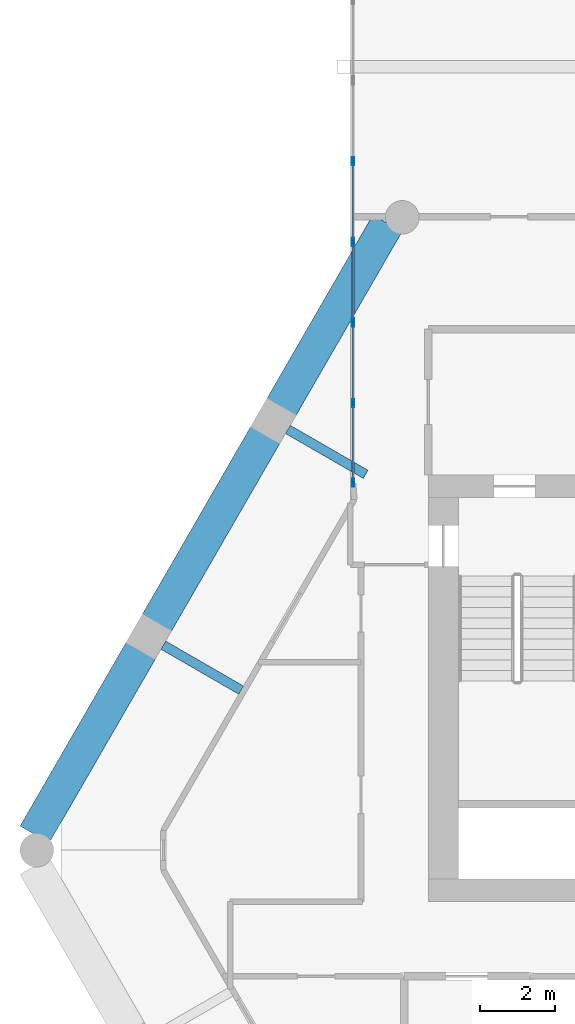
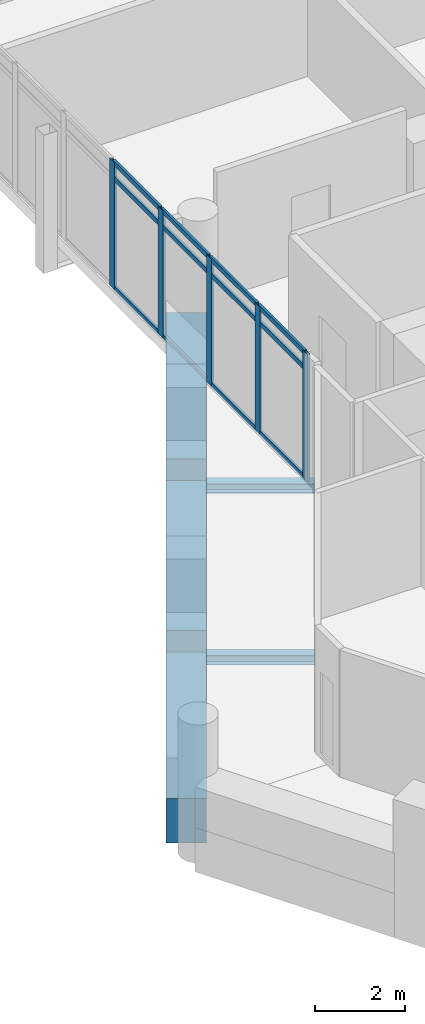
# One storey, part 11 of 25: 17 members, 5 beams, 1 element without a shape of its own.
"""IFC4 building model written with IfcOpenShell, lengths in metres."""

from ifc_helpers import new_model, si_unit, direction, frame, origin, origin_2d, place, context, subcontext, project, spatial, rectangle, hollow_rectangle, i_section, extrude, material, material_profile, profile_set, type_object, element, aggregate, save


model = new_model("IFC4")

# Units and contexts
model_context = context("Model", 3, precision=1e-05, world=origin(), true_north=direction((0.0, 1.0)))
body_context = subcontext(model_context, "Body", "Model", "MODEL_VIEW")
ifc_project = project(units=[si_unit("LENGTHUNIT", "METRE"), si_unit("AREAUNIT", "SQUARE_METRE"), si_unit("VOLUMEUNIT", "CUBIC_METRE"), si_unit("PLANEANGLEUNIT", "RADIAN"), si_unit("MASSUNIT", "GRAM", prefix="KILO")], contexts=[model_context])

# Site, building, storey
site_placement = place(None, origin())
site = spatial("IfcSite", under=ifc_project, at=site_placement, CompositionType="ELEMENT")
building_placement = place(site_placement, origin())
building = spatial("IfcBuilding", under=site, at=building_placement, Name="Ostrander Bayou Hotel Tower", CompositionType="ELEMENT")
storey_placement = place(building_placement, frame((0.0, 0.0, 229.5)))
storey = spatial("IfcBuildingStorey", under=building, at=storey_placement, Name="L57", CompositionType="ELEMENT", Elevation=229.5)

# Curtain wall, members
ifc_material_1 = material(Name="Aluminium and clear glass", Category="aluminium")
curtain_wall_type = type_object("IfcCurtainWallType", Name="CW-BAR glazed wall", PredefinedType="NOTDEFINED", material=ifc_material_1)
curtain_wall_placement = place(storey_placement, origin())
curtain_wall = element("IfcCurtainWall", 1, at=curtain_wall_placement, inside=storey, type_object=curtain_wall_type, Name="CW-BAR L57:SB5N:E", PredefinedType="NOTDEFINED")
ifc_material_2 = material(Name="Aluminium", Category="aluminium")
ifc_material_profile_1 = material_profile(ifc_material_2, hollow_rectangle(XDim=0.06005859375, YDim=0.219970703125, WallThickness=0.00390625, at=origin_2d()))
ifc_profile_set_1 = profile_set([ifc_material_profile_1], Name="Aluminium")
member_type_1 = type_object("IfcMemberType", Name="CW-BR mullion 60 x 220 mm", PredefinedType="MULLION", material=ifc_profile_set_1)
member_1_placement = place(storey_placement, frame((-10.51220703125, 9.4951171875, 0.0), z_axis=(0.0, 0.0, 1.0), x_axis=(-1.0, 0.0, 0.0)))
member_1 = element("IfcMember", 2, at=member_1_placement, type_object=member_type_1, Name="CW-BAR mullion 1", PredefinedType="MULLION", context=body_context, shape_type="SweptSolid", body=[
    extrude(hollow_rectangle(XDim=0.06005859375, YDim=0.219970703125, WallThickness=0.00390625, at=origin_2d()), origin(), (0.0, 0.0, 1.0), 3.449951171875),
])
member_2_placement = place(storey_placement, frame((-10.51220703125, 11.620849609375, 0.0), z_axis=(0.0, 0.0, 1.0), x_axis=(-1.0, 0.0, 0.0)))
member_2 = element("IfcMember", 3, at=member_2_placement, type_object=member_type_1, Name="CW-BAR mullion 2", PredefinedType="MULLION", context=body_context, shape_type="SweptSolid", body=[
    extrude(hollow_rectangle(XDim=0.06005859375, YDim=0.219970703125, WallThickness=0.00390625, at=origin_2d()), origin(), (0.0, 0.0, 1.0), 3.449951171875),
])
member_3_placement = place(storey_placement, frame((-10.51220703125, 13.7763671875, 0.0), z_axis=(0.0, 0.0, 1.0), x_axis=(-1.0, 0.0, 0.0)))
member_3 = element("IfcMember", 4, at=member_3_placement, type_object=member_type_1, Name="CW-BAR mullion 3", PredefinedType="MULLION", context=body_context, shape_type="SweptSolid", body=[
    extrude(hollow_rectangle(XDim=0.06005859375, YDim=0.219970703125, WallThickness=0.00390625, at=origin_2d()), origin(), (0.0, 0.0, 1.0), 3.449951171875),
])
member_4_placement = place(storey_placement, frame((-10.51220703125, 15.93212890625, 0.0), z_axis=(0.0, 0.0, 1.0), x_axis=(-1.0, 0.0, 0.0)))
member_4 = element("IfcMember", 5, at=member_4_placement, type_object=member_type_1, Name="CW-BAR mullion 4", PredefinedType="MULLION", context=body_context, shape_type="SweptSolid", body=[
    extrude(hollow_rectangle(XDim=0.06005859375, YDim=0.219970703125, WallThickness=0.00390625, at=origin_2d()), origin(), (0.0, 0.0, 1.0), 3.449951171875),
])
member_5_placement = place(storey_placement, frame((-10.51220703125, 18.087890625, 0.0), z_axis=(0.0, 0.0, 1.0), x_axis=(-1.0, 0.0, 0.0)))
member_5 = element("IfcMember", 6, at=member_5_placement, type_object=member_type_1, Name="CW-BAR mullion 5", PredefinedType="MULLION", context=body_context, shape_type="SweptSolid", body=[
    extrude(hollow_rectangle(XDim=0.06005859375, YDim=0.219970703125, WallThickness=0.00390625, at=origin_2d()), origin(), (0.0, 0.0, 1.0), 3.449951171875),
])
ifc_material_3 = material(Name="Aluminium", Category="aluminium")
ifc_material_profile_2 = material_profile(ifc_material_3, hollow_rectangle(XDim=0.06005859375, YDim=0.1298828125, WallThickness=0.00390625, at=origin_2d()))
ifc_profile_set_2 = profile_set([ifc_material_profile_2], Name="Aluminium")
member_type_2 = type_object("IfcMemberType", Name="CW-BR transom 60 x 130 mm", PredefinedType="USERDEFINED", material=ifc_profile_set_2)
member_6_placement = place(storey_placement, frame((-10.51220703125, 9.52490234375, 0.030029296875), z_axis=(0.0, 1.0, 0.0), x_axis=(-1.0, 0.0, 0.0)))
member_6 = element("IfcMember", 7, at=member_6_placement, type_object=member_type_2, Name="CW-BAR transom 1.1", ObjectType="TRANSOM", PredefinedType="USERDEFINED", context=body_context, shape_type="SweptSolid", body=[
    extrude(hollow_rectangle(XDim=0.06005859375, YDim=0.1298828125, WallThickness=0.00390625, at=origin_2d()), origin(), (0.0, 0.0, 1.0), 2.06591796875),
])
member_7_placement = place(storey_placement, frame((-10.51220703125, 9.52490234375, 3.0), z_axis=(0.0, 1.0, 0.0), x_axis=(-1.0, 0.0, 0.0)))
member_7 = element("IfcMember", 8, at=member_7_placement, type_object=member_type_2, Name="CW-BAR transom 1.2", ObjectType="TRANSOM", PredefinedType="USERDEFINED", context=body_context, shape_type="SweptSolid", body=[
    extrude(hollow_rectangle(XDim=0.06005859375, YDim=0.1298828125, WallThickness=0.00390625, at=origin_2d()), origin(), (0.0, 0.0, 1.0), 2.06591796875),
])
member_8_placement = place(storey_placement, frame((-10.51220703125, 9.52490234375, 3.419921875), z_axis=(0.0, 1.0, 0.0), x_axis=(-1.0, 0.0, 0.0)))
member_8 = element("IfcMember", 9, at=member_8_placement, type_object=member_type_2, Name="CW-BAR transom 1.3", ObjectType="TRANSOM", PredefinedType="USERDEFINED", context=body_context, shape_type="SweptSolid", body=[
    extrude(hollow_rectangle(XDim=0.06005859375, YDim=0.1298828125, WallThickness=0.00390625, at=origin_2d()), origin(), (0.0, 0.0, 1.0), 2.06591796875),
])
member_9_placement = place(storey_placement, frame((-10.51220703125, 11.650634765625, 0.030029296875), z_axis=(0.0, 1.0, 0.0), x_axis=(-1.0, 0.0, 0.0)))
member_9 = element("IfcMember", 10, at=member_9_placement, type_object=member_type_2, Name="CW-BAR transom 2.1", ObjectType="TRANSOM", PredefinedType="USERDEFINED", context=body_context, shape_type="SweptSolid", body=[
    extrude(hollow_rectangle(XDim=0.06005859375, YDim=0.1298828125, WallThickness=0.00390625, at=origin_2d()), origin(), (0.0, 0.0, 1.0), 2.095947265625),
])
member_10_placement = place(storey_placement, frame((-10.51220703125, 11.650634765625, 3.0), z_axis=(0.0, 1.0, 0.0), x_axis=(-1.0, 0.0, 0.0)))
member_10 = element("IfcMember", 11, at=member_10_placement, type_object=member_type_2, Name="CW-BAR transom 2.2", ObjectType="TRANSOM", PredefinedType="USERDEFINED", context=body_context, shape_type="SweptSolid", body=[
    extrude(hollow_rectangle(XDim=0.06005859375, YDim=0.1298828125, WallThickness=0.00390625, at=origin_2d()), origin(), (0.0, 0.0, 1.0), 2.095947265625),
])
member_11_placement = place(storey_placement, frame((-10.51220703125, 11.650634765625, 3.419921875), z_axis=(0.0, 1.0, 0.0), x_axis=(-1.0, 0.0, 0.0)))
member_11 = element("IfcMember", 12, at=member_11_placement, type_object=member_type_2, Name="CW-BAR transom 2.3", ObjectType="TRANSOM", PredefinedType="USERDEFINED", context=body_context, shape_type="SweptSolid", body=[
    extrude(hollow_rectangle(XDim=0.06005859375, YDim=0.1298828125, WallThickness=0.00390625, at=origin_2d()), origin(), (0.0, 0.0, 1.0), 2.095947265625),
])
member_12_placement = place(storey_placement, frame((-10.51220703125, 13.806396484375, 0.030029296875), z_axis=(0.0, 1.0, 0.0), x_axis=(-1.0, 0.0, 0.0)))
member_12 = element("IfcMember", 13, at=member_12_placement, type_object=member_type_2, Name="CW-BAR transom 3.1", ObjectType="TRANSOM", PredefinedType="USERDEFINED", context=body_context, shape_type="SweptSolid", body=[
    extrude(hollow_rectangle(XDim=0.06005859375, YDim=0.1298828125, WallThickness=0.00390625, at=origin_2d()), origin(), (0.0, 0.0, 1.0), 2.095703125),
])
member_13_placement = place(storey_placement, frame((-10.51220703125, 13.806396484375, 3.0), z_axis=(0.0, 1.0, 0.0), x_axis=(-1.0, 0.0, 0.0)))
member_13 = element("IfcMember", 14, at=member_13_placement, type_object=member_type_2, Name="CW-BAR transom 3.2", ObjectType="TRANSOM", PredefinedType="USERDEFINED", context=body_context, shape_type="SweptSolid", body=[
    extrude(hollow_rectangle(XDim=0.06005859375, YDim=0.1298828125, WallThickness=0.00390625, at=origin_2d()), origin(), (0.0, 0.0, 1.0), 2.095703125),
])
member_14_placement = place(storey_placement, frame((-10.51220703125, 13.806396484375, 3.419921875), z_axis=(0.0, 1.0, 0.0), x_axis=(-1.0, 0.0, 0.0)))
member_14 = element("IfcMember", 15, at=member_14_placement, type_object=member_type_2, Name="CW-BAR transom 3.3", ObjectType="TRANSOM", PredefinedType="USERDEFINED", context=body_context, shape_type="SweptSolid", body=[
    extrude(hollow_rectangle(XDim=0.06005859375, YDim=0.1298828125, WallThickness=0.00390625, at=origin_2d()), origin(), (0.0, 0.0, 1.0), 2.095703125),
])
member_15_placement = place(storey_placement, frame((-10.51220703125, 15.962158203125, 0.030029296875), z_axis=(0.0, 1.0, 0.0), x_axis=(-1.0, 0.0, 0.0)))
member_15 = element("IfcMember", 16, at=member_15_placement, type_object=member_type_2, Name="CW-BAR transom 4.1", ObjectType="TRANSOM", PredefinedType="USERDEFINED", context=body_context, shape_type="SweptSolid", body=[
    extrude(hollow_rectangle(XDim=0.06005859375, YDim=0.1298828125, WallThickness=0.00390625, at=origin_2d()), origin(), (0.0, 0.0, 1.0), 2.095703125),
])
member_16_placement = place(storey_placement, frame((-10.51220703125, 15.962158203125, 3.0), z_axis=(0.0, 1.0, 0.0), x_axis=(-1.0, 0.0, 0.0)))
member_16 = element("IfcMember", 17, at=member_16_placement, type_object=member_type_2, Name="CW-BAR transom 4.2", ObjectType="TRANSOM", PredefinedType="USERDEFINED", context=body_context, shape_type="SweptSolid", body=[
    extrude(hollow_rectangle(XDim=0.06005859375, YDim=0.1298828125, WallThickness=0.00390625, at=origin_2d()), origin(), (0.0, 0.0, 1.0), 2.095703125),
])
member_17_placement = place(storey_placement, frame((-10.51220703125, 15.962158203125, 3.419921875), z_axis=(0.0, 1.0, 0.0), x_axis=(-1.0, 0.0, 0.0)))
member_17 = element("IfcMember", 18, at=member_17_placement, type_object=member_type_2, Name="CW-BAR transom 4.3", ObjectType="TRANSOM", PredefinedType="USERDEFINED", context=body_context, shape_type="SweptSolid", body=[
    extrude(hollow_rectangle(XDim=0.06005859375, YDim=0.1298828125, WallThickness=0.00390625, at=origin_2d()), origin(), (0.0, 0.0, 1.0), 2.095703125),
])
aggregate(curtain_wall, [member_1, member_2, member_3, member_4, member_5, member_6, member_7, member_8, member_9, member_10, member_11, member_12, member_13, member_14, member_15, member_16, member_17])

# Beams
ifc_material_4 = material(Name="Steel ASTM A992", Category="steel")
ifc_material_profile_3 = material_profile(ifc_material_4, i_section(OverallWidth=0.25390625, OverallDepth=0.25341796875, WebThickness=0.008544921875, FlangeThickness=0.01416015625, at=origin_2d()))
ifc_profile_set_3 = profile_set([ifc_material_profile_3], Name="Steel ASTM A992")
beam_type_1 = type_object("IfcBeamType", Name="LB2 loggia bracket W10x49", PredefinedType="BEAM", material=ifc_profile_set_3)
for number, where, z_axis, x_axis, name in (
    (19, (-12.254638671875, 10.919677734375, -0.4267578125), (0.866024647952, -0.500001309137, 0.0), (0.500001309137, 0.866024647952, 0.0), "LB2 L57 NW1"),
    (20, (-15.583984375, 5.153076171875, -0.4267578125), (0.865980596518, -0.500077600433, 0.0), (0.500077600433, 0.865980596518, 0.0), "LB2 L57 NW2"),
):
    element("IfcBeam", number, at=place(storey_placement, frame(where, z_axis=z_axis, x_axis=x_axis)), inside=storey, type_object=beam_type_1, Name=name, PredefinedType="BEAM", context=body_context, shape_type="SweptSolid", body=[
        extrude(i_section(OverallWidth=0.25390625, OverallDepth=0.25341796875, WebThickness=0.008544921875, FlangeThickness=0.01416015625, at=origin_2d()), origin(), (0.0, 0.0, 1.0), 2.39990234375),
    ])
ifc_material_5 = material(Name="Concrete f'c 60 MPa", Category="concrete")
ifc_material_profile_4 = material_profile(ifc_material_5, rectangle(XDim=0.89990234375, YDim=1.199951171875, at=origin_2d()))
ifc_profile_set_4 = profile_set([ifc_material_profile_4], Name="Concrete f'c 60 MPa")
beam_type_2 = type_object("IfcBeamType", Name="SP4 spandrel beam 900 x 1200 mm f'c 60 MPa", PredefinedType="SPANDREL", material=ifc_profile_set_4)
beam_1_placement = place(storey_placement, frame((-9.593994140625, 16.427978515625, -0.60009765625), z_axis=(-0.499994028088, -0.866028851642, 0.0), x_axis=(0.866028851642, -0.499994028088, 0.0)))
element("IfcBeam", 21, at=beam_1_placement, inside=storey, type_object=beam_type_2, Name="SP4 L57 NW-1", PredefinedType="SPANDREL", context=body_context, shape_type="SweptSolid", body=[
    extrude(rectangle(XDim=0.89990234375, YDim=1.199951171875, at=origin_2d()), origin(), (0.0, 0.0, 1.0), 5.6806640625),
])
beam_2_placement = place(storey_placement, frame((-12.8544921875, 10.781005859375, -0.60009765625), z_axis=(-0.499997265274, -0.866026982673, 0.0), x_axis=(0.866026982673, -0.499997265274, 0.0)))
element("IfcBeam", 22, at=beam_2_placement, inside=storey, type_object=beam_type_2, Name="SP4 L57 NW-2", PredefinedType="SPANDREL", context=body_context, shape_type="SweptSolid", body=[
    extrude(rectangle(XDim=0.89990234375, YDim=1.199951171875, at=origin_2d()), origin(), (0.0, 0.0, 1.0), 5.81884765625),
])
beam_3_placement = place(storey_placement, frame((-16.183837890625, 5.014404296875, -0.60009765625), z_axis=(-0.499994028088, -0.866028851642, 0.0), x_axis=(0.866028851642, -0.499994028088, 0.0)))
element("IfcBeam", 23, at=beam_3_placement, inside=storey, type_object=beam_type_2, Name="SP4 L57 NW-3", PredefinedType="SPANDREL", context=body_context, shape_type="SweptSolid", body=[
    extrude(rectangle(XDim=0.89990234375, YDim=1.199951171875, at=origin_2d()), origin(), (0.0, 0.0, 1.0), 5.6806640625),
])

save(model, "model.ifc")
